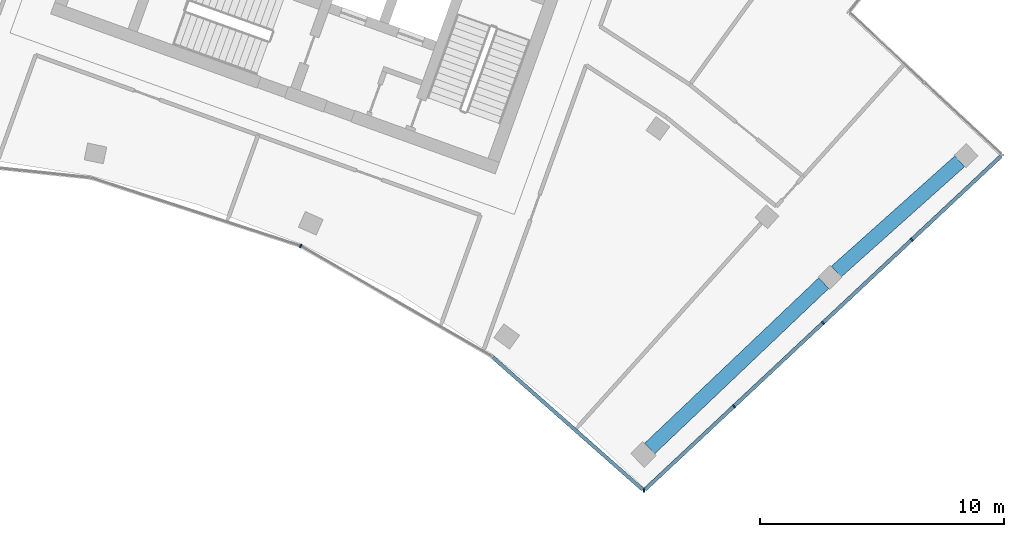
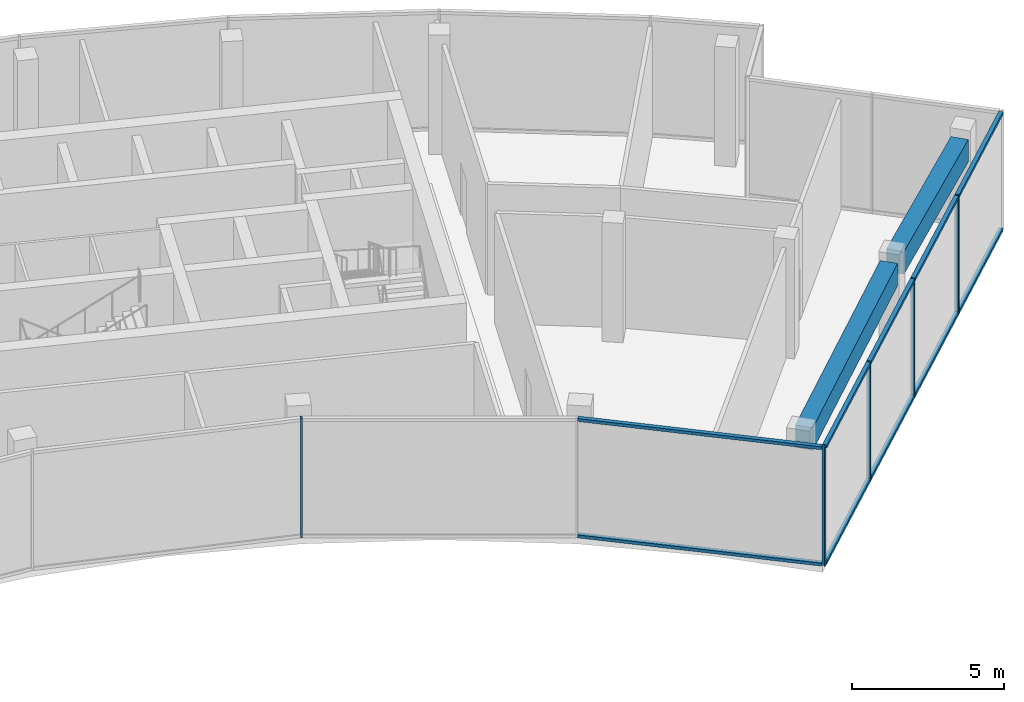
# One storey, part 9 of 17: 15 members, 2 beams, 2 elements without a shape of their own.
"""IFC4 building model written with IfcOpenShell, lengths in metres."""

import ifcopenshell
import ifcopenshell.guid

model = None  # the IFC model being written
_history = None  # IfcOwnerHistory: only IFC2X3 demands one
_inside = {}  # id of a spatial element -> (the spatial element, [elements in it])
_under = {}  # id of a project, library or spatial element -> (it, [spatial elements below it])
_declared = {}  # id of a project -> (the project, [libraries it declares])
_typed = {}  # id of a type object -> (the type object, [elements of that type])
_made_of = {}  # id of a material, layer set ... -> (it, [elements and type objects made of it])


def new_model(schema):
    """Start an empty IFC model of exactly this schema.

    Asked for "IFC4X3", IfcOpenShell would pick the latest addendum, in which some entities
    have other attributes; the version numbers below select the first issue.
    IFC2X3 requires an IfcOwnerHistory on every rooted entity: one is made here for all.
    """
    global model, _history
    if schema == "IFC4X3":
        model = ifcopenshell.file(schema_version=(4, 3, 0, 0))
    else:
        model = ifcopenshell.file(schema=schema)
    _inside.clear()
    _under.clear()
    _declared.clear()
    _typed.clear()
    _made_of.clear()
    _history = None
    if model.schema == "IFC2X3":
        org = make("IfcOrganization", Name="unknown")
        user = make(
            "IfcPersonAndOrganization",
            ThePerson=make("IfcPerson", FamilyName="unknown"),
            TheOrganization=org,
        )
        app = make(
            "IfcApplication",
            ApplicationDeveloper=org,
            Version="unknown",
            ApplicationFullName="unknown",
            ApplicationIdentifier="unknown",
        )
        _history = make(
            "IfcOwnerHistory",
            OwningUser=user,
            OwningApplication=app,
            ChangeAction="ADDED",
            CreationDate=0,
        )
    return model


def make(cls, **values):
    """One entity of the class cls with the attributes given. An attribute that is None is left unset."""
    return model.create_entity(
        cls, **{name: value for name, value in values.items() if value is not None}
    )


def rooted(cls, **values):
    """An entity with a GlobalId (a new one), such as an element, a storey or a relation."""
    return make(cls, GlobalId=ifcopenshell.guid.new(), OwnerHistory=_history, **values)


def si_unit(unit_type, name, prefix=None):
    """IfcSIUnit, for example si_unit("LENGTHUNIT", "METRE", prefix="MILLI")."""
    return make("IfcSIUnit", UnitType=unit_type, Prefix=prefix, Name=name)


def assignment(units):
    """IfcUnitAssignment: the units of a project."""
    return None if units is None else make("IfcUnitAssignment", Units=units)


def point(xyz):
    """IfcCartesianPoint."""
    return None if xyz is None else make("IfcCartesianPoint", Coordinates=xyz)


def direction(xyz):
    """IfcDirection."""
    return None if xyz is None else make("IfcDirection", DirectionRatios=xyz)


def frame(location, z_axis=None, x_axis=None):
    """IfcAxis2Placement3D, a coordinate frame: its origin and axes. An axis left out is left unset."""
    return make(
        "IfcAxis2Placement3D",
        Location=point(location),
        Axis=direction(z_axis),
        RefDirection=direction(x_axis),
    )


def frame_2d(location, x_axis=None):
    """IfcAxis2Placement2D, a coordinate frame in the plane: its origin and x axis."""
    return make(
        "IfcAxis2Placement2D", Location=point(location), RefDirection=direction(x_axis)
    )


def origin():
    """The frame at (0, 0, 0) with its axes left unset."""
    return frame((0.0, 0.0, 0.0))


def origin_2d():
    """The frame at (0, 0) in the plane with its x axis left unset."""
    return frame_2d((0.0, 0.0))


def place(relative_to, where):
    """IfcLocalPlacement: puts the frame where relative to a parent placement (None: the world)."""
    return make(
        "IfcLocalPlacement", PlacementRelTo=relative_to, RelativePlacement=where
    )


def context(
    kind, dimensions, precision=None, world=None, true_north=None, identifier=None
):
    """IfcGeometricRepresentationContext, for example the 3D "Model" context."""
    return make(
        "IfcGeometricRepresentationContext",
        ContextIdentifier=identifier,
        ContextType=kind,
        CoordinateSpaceDimension=dimensions,
        Precision=precision,
        WorldCoordinateSystem=world,
        TrueNorth=true_north,
    )


def subcontext(parent, identifier, kind, view, scale=None):
    """IfcGeometricRepresentationSubContext, for example "Body" below "Model"."""
    return make(
        "IfcGeometricRepresentationSubContext",
        ContextIdentifier=identifier,
        ContextType=kind,
        ParentContext=parent,
        TargetScale=scale,
        TargetView=view,
    )


def project(units=None, contexts=None):
    """IfcProject with its units and contexts."""
    return rooted(
        "IfcProject",
        Name="project",
        RepresentationContexts=contexts,
        UnitsInContext=assignment(units),
    )


def spatial(cls, under=None, at=None, **own):
    """A site, building, storey or space (cls), placed at a placement, below another one or the project."""
    s = rooted(cls, ObjectPlacement=at, **own)
    if under is not None:
        _under.setdefault(under.id(), (under, []))[1].append(s)
    return s


def profile(cls, at=None, kind="AREA", **sizes):
    """A parametric profile (cls). Its sizes go by their IFC names, for example OverallWidth=200.0."""
    return make(cls, ProfileType=kind, Position=at, **sizes)


def rectangle(**sizes):
    """IfcRectangleProfileDef."""
    return profile("IfcRectangleProfileDef", **sizes)


def extrude(swept, where, along, depth):
    """IfcExtrudedAreaSolid: the profile swept, set in the frame where, extruded along a direction by depth."""
    return make(
        "IfcExtrudedAreaSolid",
        SweptArea=swept,
        Position=where,
        ExtrudedDirection=direction(along),
        Depth=depth,
    )


def shape(context_of_items, identifier, shape_type, items):
    """IfcShapeRepresentation: the items that make up one representation, for example the "Body"."""
    return make(
        "IfcShapeRepresentation",
        ContextOfItems=context_of_items,
        RepresentationIdentifier=identifier,
        RepresentationType=shape_type,
        Items=items,
    )


def material(Name=None, Category=None):
    """IfcMaterial."""
    return make("IfcMaterial", Name=Name, Category=Category)


def layer(
    of_material, thickness, ventilated=None, Name=None, Category=None, Priority=None
):
    """IfcMaterialLayer: one layer of a wall or slab, of a material (None: an air gap)."""
    return make(
        "IfcMaterialLayer",
        Material=of_material,
        LayerThickness=thickness,
        IsVentilated=ventilated,
        Name=Name,
        Category=Category,
        Priority=Priority,
    )


def layer_set(layers, Name=None):
    """IfcMaterialLayerSet."""
    return make("IfcMaterialLayerSet", MaterialLayers=layers, LayerSetName=Name)


def material_profile(
    of_material, cross_section, Name=None, Category=None, Priority=None
):
    """IfcMaterialProfile: a cross section and its material."""
    return make(
        "IfcMaterialProfile",
        Name=Name,
        Material=of_material,
        Profile=cross_section,
        Priority=Priority,
        Category=Category,
    )


def profile_set(profiles, Name=None, composite=None):
    """IfcMaterialProfileSet."""
    return make(
        "IfcMaterialProfileSet",
        Name=Name,
        MaterialProfiles=profiles,
        CompositeProfile=composite,
    )


def made_of(thing, what):
    """Note that an element or type object is made of a material, layer set ...; save() writes the relation."""
    if what is not None:
        _made_of.setdefault(what.id(), (what, []))[1].append(thing)
    return thing


def type_object(cls, material=None, **own):
    """A type object (cls), such as IfcWallType, which elements share."""
    return made_of(rooted(cls, **own), material)


def element(
    cls,
    number,
    at=None,
    inside=None,
    cuts=None,
    type_object=None,
    material=None,
    context=None,
    identifier="Body",
    shape_type=None,
    held_by="IfcProductDefinitionShape",
    body=None,
    shapes=None,
    **own,
):
    """One element of the class cls, such as IfcWall. Its Tag is "e" and its number.

    at: its placement. inside: the storey or other place that contains it. cuts: it is an
    opening in that element (IfcRelVoidsElement). A single representation is given by context,
    identifier, shape_type and body (its items); several are given by shapes. held_by: the class
    of the entity that holds the representations. save() writes the other relations.
    """
    e = rooted(cls, Tag="e%d" % number, ObjectPlacement=at, **own)
    if body is not None:
        shapes = [shape(context, identifier, shape_type, body)]
    if shapes is not None:
        e.Representation = make(held_by, Representations=shapes)
    if inside is not None:
        _inside.setdefault(inside.id(), (inside, []))[1].append(e)
    if cuts is not None:
        rooted(
            "IfcRelVoidsElement", RelatingBuildingElement=cuts, RelatedOpeningElement=e
        )
    if type_object is not None:
        _typed.setdefault(type_object.id(), (type_object, []))[1].append(e)
    return made_of(e, material)


def aggregate(whole, parts):
    """IfcRelAggregates: a whole, such as a stair, and the parts it consists of."""
    return rooted("IfcRelAggregates", RelatingObject=whole, RelatedObjects=parts)


def save(model, path):
    """Write the relations noted so far, then the file.

    IfcRelAggregates (storeys below a building ...), IfcRelContainedInSpatialStructure (elements
    in a storey), IfcRelDefinesByType, IfcRelAssociatesMaterial and IfcRelDeclares: one each for
    every whole, place, type object, material and project.
    """
    for whole, parts in _under.values():
        aggregate(whole, parts)
    for where, things in _inside.values():
        rooted(
            "IfcRelContainedInSpatialStructure",
            RelatedElements=things,
            RelatingStructure=where,
        )
    for kind, things in _typed.values():
        rooted("IfcRelDefinesByType", RelatedObjects=things, RelatingType=kind)
    for what, things in _made_of.values():
        rooted("IfcRelAssociatesMaterial", RelatedObjects=things, RelatingMaterial=what)
    for by, libraries in _declared.values():
        rooted("IfcRelDeclares", RelatingContext=by, RelatedDefinitions=libraries)
    model.write(path)


model = new_model("IFC4")

# Units and contexts
model_context = context("Model", 3, precision=1e-05, world=origin(), true_north=direction((0.0, 1.0)))
body_context = subcontext(model_context, "Body", "Model", "MODEL_VIEW")
ifc_project = project(units=[si_unit("LENGTHUNIT", "METRE"), si_unit("AREAUNIT", "SQUARE_METRE"), si_unit("VOLUMEUNIT", "CUBIC_METRE"), si_unit("PLANEANGLEUNIT", "RADIAN"), si_unit("MASSUNIT", "GRAM", prefix="KILO")], contexts=[model_context])

# Site, building, storey
site_placement = place(None, origin())
site = spatial("IfcSite", under=ifc_project, at=site_placement, CompositionType="ELEMENT")
building_placement = place(site_placement, origin())
building = spatial("IfcBuilding", under=site, at=building_placement, Name="Stone Belt Terrace Tower", CompositionType="ELEMENT")
storey_placement = place(building_placement, frame((0.0, 0.0, 313.39990234375)))
storey = spatial("IfcBuildingStorey", under=building, at=storey_placement, Name="L76", CompositionType="ELEMENT", Elevation=313.39990234375)

# Curtain wall, member
ifc_material_1 = material(Name="Aluminium 6063-T6 anodised frame", Category="aluminium")
ifc_layer = layer(ifc_material_1, 0.14990234375)
ifc_layer_set = layer_set([ifc_layer], Name="CW-C stick curtain wall, horn ends and notches")
curtain_wall_type = type_object("IfcCurtainWallType", Name="CW-C stick curtain wall, horn ends and notches", PredefinedType="NOTDEFINED", material=ifc_layer_set)
curtain_wall_1_placement = place(storey_placement, origin())
curtain_wall_1 = element("IfcCurtainWall", 1, at=curtain_wall_1_placement, inside=storey, type_object=curtain_wall_type, Name="CW-C concave face L76", PredefinedType="NOTDEFINED")
ifc_material_profile_1 = material_profile(ifc_material_1, rectangle(XDim=0.14990234375, YDim=0.06005859375, at=origin_2d()), Name="Aluminium 6063-T6 60x150")
ifc_profile_set_1 = profile_set([ifc_material_profile_1], Name="Aluminium 6063-T6 anodised frame")
member_type_1 = type_object("IfcMemberType", Name="CW-C mullion 60 x 150", PredefinedType="MULLION", material=ifc_profile_set_1)
member_1_placement = place(storey_placement, frame((17.662353515625, 39.67041015625, 0.0), z_axis=(0.0, 0.0, 1.0), x_axis=(0.406736643076, 0.913545457643, 0.0)))
member_1 = element("IfcMember", 2, at=member_1_placement, type_object=member_type_1, Name="CW-C mullion 7", PredefinedType="MULLION", context=body_context, shape_type="SweptSolid", body=[
    extrude(rectangle(XDim=0.14990234375, YDim=0.06005859375, at=origin_2d()), origin(), (0.0, 0.0, 1.0), 4.800048828125),
])

# Curtain wall, members
curtain_wall_2_placement = place(storey_placement, origin())
curtain_wall_2 = element("IfcCurtainWall", 3, at=curtain_wall_2_placement, inside=storey, type_object=curtain_wall_type, Name="CW-C end face L76", PredefinedType="NOTDEFINED")
member_2_placement = place(storey_placement, frame((31.75244140625, 29.633056640625, 0.0), z_axis=(0.0, 0.0, 1.0), x_axis=(-0.014681639593, 0.999892218921, 0.0)))
member_2 = element("IfcMember", 4, at=member_2_placement, type_object=member_type_1, Name="CW-C mullion 1", PredefinedType="MULLION", context=body_context, shape_type="SweptSolid", body=[
    extrude(rectangle(XDim=0.14990234375, YDim=0.06005859375, at=origin_2d()), origin(), (0.0, 0.0, 1.0), 4.800048828125),
])
member_3_placement = place(storey_placement, frame((35.45166015625, 33.097412109375, 0.0), z_axis=(0.0, 0.0, 1.0), x_axis=(-0.683549434973, 0.729904219708, 0.0)))
member_3 = element("IfcMember", 5, at=member_3_placement, type_object=member_type_1, Name="CW-C mullion 2", PredefinedType="MULLION", context=body_context, shape_type="SweptSolid", body=[
    extrude(rectangle(XDim=0.14990234375, YDim=0.06005859375, at=origin_2d()), origin(), (0.0, 0.0, 1.0), 4.800048828125),
])
member_4_placement = place(storey_placement, frame((39.10107421875, 36.51513671875, 0.0), z_axis=(0.0, 0.0, 1.0), x_axis=(-0.683549434973, 0.729904219708, 0.0)))
member_4 = element("IfcMember", 6, at=member_4_placement, type_object=member_type_1, Name="CW-C mullion 3", PredefinedType="MULLION", context=body_context, shape_type="SweptSolid", body=[
    extrude(rectangle(XDim=0.14990234375, YDim=0.06005859375, at=origin_2d()), origin(), (0.0, 0.0, 1.0), 4.800048828125),
])
member_5_placement = place(storey_placement, frame((42.750732421875, 39.932861328125, 0.0), z_axis=(0.0, 0.0, 1.0), x_axis=(-0.683549434973, 0.729904219708, 0.0)))
member_5 = element("IfcMember", 7, at=member_5_placement, type_object=member_type_1, Name="CW-C mullion 4", PredefinedType="MULLION", context=body_context, shape_type="SweptSolid", body=[
    extrude(rectangle(XDim=0.14990234375, YDim=0.06005859375, at=origin_2d()), origin(), (0.0, 0.0, 1.0), 4.800048828125),
])

# Member
ifc_material_profile_2 = material_profile(ifc_material_1, rectangle(XDim=0.14990234375, YDim=0.1201171875, at=origin_2d()), Name="Aluminium 6063-T6 150x120")
ifc_profile_set_2 = profile_set([ifc_material_profile_2], Name="Aluminium 6063-T6 anodised frame")
member_type_2 = type_object("IfcMemberType", Name="CW-C transom 120 x 150", PredefinedType="USERDEFINED", material=ifc_profile_set_2)
member_6_placement = place(storey_placement, frame((25.552734375, 35.1064453125, 0.06005859375), z_axis=(0.749643131168, -0.661842259071, 0.0), x_axis=(0.661842259071, 0.749643131168, 0.0)))
member_6 = element("IfcMember", 8, at=member_6_placement, type_object=member_type_2, Name="CW-C transom 8.1", ObjectType="TRANSOM", PredefinedType="USERDEFINED", context=body_context, shape_type="SweptSolid", body=[
    extrude(rectangle(XDim=0.14990234375, YDim=0.1201171875, at=origin_2d()), origin(), (0.0, 0.0, 1.0), 8.197265625),
])

member_7_placement = place(storey_placement, frame((25.552734375, 35.1064453125, 4.739990234375), z_axis=(0.749643131168, -0.661842259071, 0.0), x_axis=(0.661842259071, 0.749643131168, 0.0)))
member_7 = element("IfcMember", 9, at=member_7_placement, type_object=member_type_2, Name="CW-C transom 8.2", ObjectType="TRANSOM", PredefinedType="USERDEFINED", context=body_context, shape_type="SweptSolid", body=[
    extrude(rectangle(XDim=0.14990234375, YDim=0.1201171875, at=origin_2d()), origin(), (0.0, 0.0, 1.0), 8.197265625),
])

aggregate(curtain_wall_1, [member_1, member_6, member_7])

member_8_placement = place(storey_placement, frame((31.805419921875, 29.6826171875, 0.06005859375), z_axis=(0.72988516347, 0.683569782938, 0.0), x_axis=(-0.683569782938, 0.72988516347, 0.0)))
member_8 = element("IfcMember", 10, at=member_8_placement, type_object=member_type_2, Name="CW-C transom 1.1", ObjectType="TRANSOM", PredefinedType="USERDEFINED", context=body_context, shape_type="SweptSolid", body=[
    extrude(rectangle(XDim=0.14990234375, YDim=0.1201171875, at=origin_2d()), origin(), (0.0, 0.0, 1.0), 4.965576171875),
])

member_9_placement = place(storey_placement, frame((31.805419921875, 29.6826171875, 4.739990234375), z_axis=(0.72988516347, 0.683569782938, 0.0), x_axis=(-0.683569782938, 0.72988516347, 0.0)))
member_9 = element("IfcMember", 11, at=member_9_placement, type_object=member_type_2, Name="CW-C transom 1.2", ObjectType="TRANSOM", PredefinedType="USERDEFINED", context=body_context, shape_type="SweptSolid", body=[
    extrude(rectangle(XDim=0.14990234375, YDim=0.1201171875, at=origin_2d()), origin(), (0.0, 0.0, 1.0), 4.965576171875),
])

member_10_placement = place(storey_placement, frame((35.4736328125, 33.117919921875, 0.06005859375), z_axis=(0.729905447424, 0.683548123998, 0.0), x_axis=(-0.683548123998, 0.729905447424, 0.0)))
member_10 = element("IfcMember", 12, at=member_10_placement, type_object=member_type_2, Name="CW-C transom 2.1", ObjectType="TRANSOM", PredefinedType="USERDEFINED", context=body_context, shape_type="SweptSolid", body=[
    extrude(rectangle(XDim=0.14990234375, YDim=0.1201171875, at=origin_2d()), origin(), (0.0, 0.0, 1.0), 4.93994140625),
])

member_11_placement = place(storey_placement, frame((35.4736328125, 33.117919921875, 4.739990234375), z_axis=(0.729905447424, 0.683548123998, 0.0), x_axis=(-0.683548123998, 0.729905447424, 0.0)))
member_11 = element("IfcMember", 13, at=member_11_placement, type_object=member_type_2, Name="CW-C transom 2.2", ObjectType="TRANSOM", PredefinedType="USERDEFINED", context=body_context, shape_type="SweptSolid", body=[
    extrude(rectangle(XDim=0.14990234375, YDim=0.1201171875, at=origin_2d()), origin(), (0.0, 0.0, 1.0), 4.93994140625),
])

member_12_placement = place(storey_placement, frame((39.123046875, 36.53564453125, 0.06005859375), z_axis=(0.729905447424, 0.683548123998, 0.0), x_axis=(-0.683548123998, 0.729905447424, 0.0)))
member_12 = element("IfcMember", 14, at=member_12_placement, type_object=member_type_2, Name="CW-C transom 3.1", ObjectType="TRANSOM", PredefinedType="USERDEFINED", context=body_context, shape_type="SweptSolid", body=[
    extrude(rectangle(XDim=0.14990234375, YDim=0.1201171875, at=origin_2d()), origin(), (0.0, 0.0, 1.0), 4.93994140625),
])

member_13_placement = place(storey_placement, frame((39.123046875, 36.53564453125, 4.739990234375), z_axis=(0.729905447424, 0.683548123998, 0.0), x_axis=(-0.683548123998, 0.729905447424, 0.0)))
member_13 = element("IfcMember", 15, at=member_13_placement, type_object=member_type_2, Name="CW-C transom 3.2", ObjectType="TRANSOM", PredefinedType="USERDEFINED", context=body_context, shape_type="SweptSolid", body=[
    extrude(rectangle(XDim=0.14990234375, YDim=0.1201171875, at=origin_2d()), origin(), (0.0, 0.0, 1.0), 4.93994140625),
])

member_14_placement = place(storey_placement, frame((42.7724609375, 39.953369140625, 0.06005859375), z_axis=(0.729913558916, 0.683539462292, 0.0), x_axis=(-0.683539462292, 0.729913558916, 0.0)))
member_14 = element("IfcMember", 16, at=member_14_placement, type_object=member_type_2, Name="CW-C transom 4.1", ObjectType="TRANSOM", PredefinedType="USERDEFINED", context=body_context, shape_type="SweptSolid", body=[
    extrude(rectangle(XDim=0.14990234375, YDim=0.1201171875, at=origin_2d()), origin(), (0.0, 0.0, 1.0), 4.97509765625),
])

member_15_placement = place(storey_placement, frame((42.7724609375, 39.953369140625, 4.739990234375), z_axis=(0.729913558916, 0.683539462292, 0.0), x_axis=(-0.683539462292, 0.729913558916, 0.0)))
member_15 = element("IfcMember", 17, at=member_15_placement, type_object=member_type_2, Name="CW-C transom 4.2", ObjectType="TRANSOM", PredefinedType="USERDEFINED", context=body_context, shape_type="SweptSolid", body=[
    extrude(rectangle(XDim=0.14990234375, YDim=0.1201171875, at=origin_2d()), origin(), (0.0, 0.0, 1.0), 4.97509765625),
])

aggregate(curtain_wall_2, [member_2, member_3, member_4, member_5, member_8, member_9, member_10, member_11, member_12, member_13, member_14, member_15])

# Beams
ifc_material_2 = material(Name="Concrete B60", Category="concrete")
ifc_material_profile_3 = material_profile(ifc_material_2, rectangle(XDim=0.60009765625, YDim=0.89990234375, at=origin_2d()), Name="RC 600x900")
ifc_profile_set_3 = profile_set([ifc_material_profile_3], Name="Concrete B60")
beam_type = type_object("IfcBeamType", Name="Edge beam RC 600x900 B60", PredefinedType="SPANDREL", material=ifc_profile_set_3)
beam_1_placement = place(storey_placement, frame((31.98876953125, 31.35791015625, 4.0), z_axis=(0.725018605512, 0.688729280387, 0.0), x_axis=(-0.688729280387, 0.725018605512, 0.0)))
element("IfcBeam", 18, at=beam_1_placement, inside=storey, type_object=beam_type, Name="Edge beam L76 B P to Q", PredefinedType="SPANDREL", context=body_context, shape_type="SweptSolid", body=[
    extrude(rectangle(XDim=0.60009765625, YDim=0.89990234375, at=origin_2d()), origin(), (0.0, 0.0, 1.0), 9.85595703125),
])
beam_2_placement = place(storey_placement, frame((39.649658203125, 38.620361328125, 4.0), z_axis=(0.745646224154, 0.666342035598, 0.0), x_axis=(-0.666342035598, 0.745646224154, 0.0)))
element("IfcBeam", 19, at=beam_2_placement, inside=storey, type_object=beam_type, Name="Edge beam L76 B Q to R", PredefinedType="SPANDREL", context=body_context, shape_type="SweptSolid", body=[
    extrude(rectangle(XDim=0.60009765625, YDim=0.89990234375, at=origin_2d()), origin(), (0.0, 0.0, 1.0), 6.79443359375),
])

save(model, "model.ifc")
